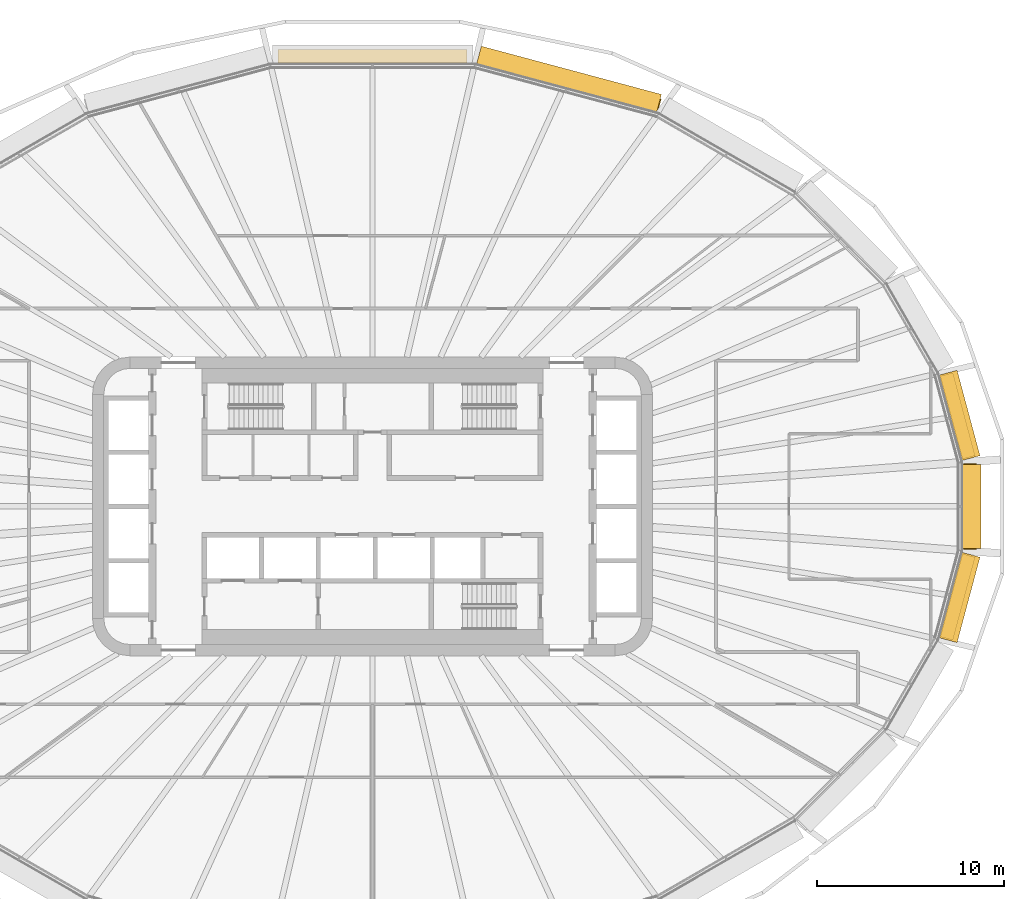
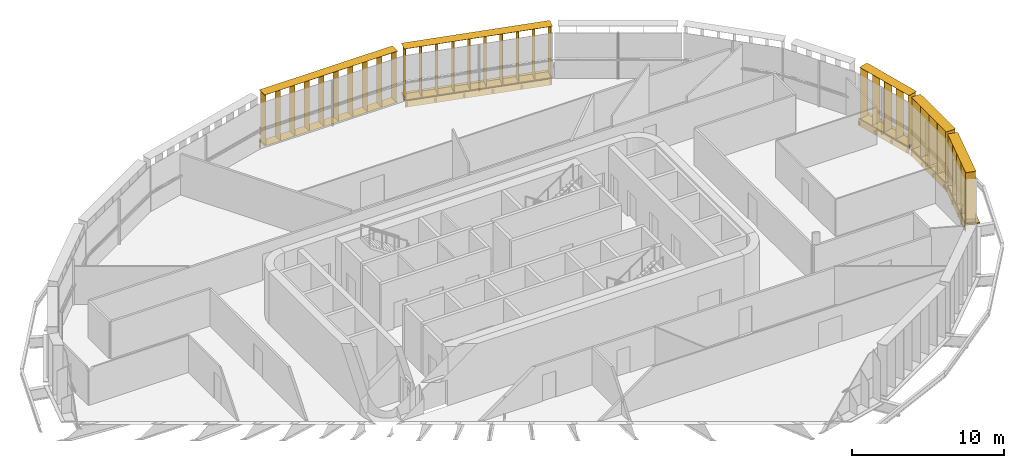
# One storey, part 25 of 25: 9 shading devices.
"""IFC4 building model written with IfcOpenShell, lengths in metres."""

from ifc_helpers import new_model, si_unit, direction, frame, origin, origin_2d, place, context, subcontext, project, spatial, rectangle, extrude, material, type_object, element, save


model = new_model("IFC4")

# Units and contexts
model_context = context("Model", 3, precision=1e-05, world=origin(), true_north=direction((0.0, 1.0)))
body_context = subcontext(model_context, "Body", "Model", "MODEL_VIEW")
ifc_project = project(units=[si_unit("LENGTHUNIT", "METRE"), si_unit("AREAUNIT", "SQUARE_METRE"), si_unit("VOLUMEUNIT", "CUBIC_METRE"), si_unit("PLANEANGLEUNIT", "RADIAN"), si_unit("MASSUNIT", "GRAM", prefix="KILO")], contexts=[model_context])

# Site, building, storey
site_placement = place(None, origin())
site = spatial("IfcSite", under=ifc_project, at=site_placement, CompositionType="ELEMENT")
building_placement = place(site_placement, origin())
building = spatial("IfcBuilding", under=site, at=building_placement, Name="Sahrelin Media Tower", CompositionType="ELEMENT")
storey_placement = place(building_placement, frame((0.0, 0.0, 139.800048828125)))
storey = spatial("IfcBuildingStorey", under=building, at=storey_placement, Name="L28", CompositionType="ELEMENT", Elevation=139.800048828125)

# Shading devices
ifc_material = material(Name="Champagne anodised aluminium 6063-T6", Category="aluminium")
shading_device_type_1 = type_object("IfcShadingDeviceType", Name="Fin cassette", PredefinedType="USERDEFINED", material=ifc_material)
placement_1 = place(storey_placement, frame((31.57861328125, 0.0, 0.0), z_axis=(0.0, 0.0, 1.0), x_axis=(0.0, -1.0, 0.0)))
element("IfcShadingDevice", 1, at=placement_1, inside=storey, type_object=shading_device_type_1, Name="L28:FIN:L28-00", ObjectType="FIN", PredefinedType="USERDEFINED", context=body_context, shape_type="SweptSolid", body=[
    extrude(rectangle(XDim=4.60009765625, YDim=0.699951171875, at=origin_2d()), frame((0.0, 0.419921875, 0.0)), (0.0, 0.0, 1.0), 0.02001953125),
    extrude(rectangle(XDim=4.60009765625, YDim=0.699951171875, at=origin_2d()), frame((0.0, 0.419921875, 4.10009765625)), (0.0, 0.0, 1.0), 0.02001953125),
    extrude(rectangle(XDim=0.02001953125, YDim=0.699951171875, at=origin_2d()), frame((-2.199951171875, 0.419921875, 0.010009765625), z_axis=(0.0, 0.0, 1.0), x_axis=(1.0, 0.0, 0.0)), (0.0, 0.0, 1.0), 4.10009765625),
    extrude(rectangle(XDim=0.02001953125, YDim=0.699951171875, at=origin_2d()), frame((-1.10009765625, 0.419921875, 0.010009765625), z_axis=(0.0, 0.0, 1.0), x_axis=(1.0, 0.0, 0.0)), (0.0, 0.0, 1.0), 4.10009765625),
    extrude(rectangle(XDim=0.02001953125, YDim=0.699951171875, at=origin_2d()), frame((0.0, 0.419921875, 0.010009765625), z_axis=(0.0, 0.0, 1.0), x_axis=(1.0, 0.0, 0.0)), (0.0, 0.0, 1.0), 4.10009765625),
    extrude(rectangle(XDim=0.02001953125, YDim=0.699951171875, at=origin_2d()), frame((1.10009765625, 0.419921875, 0.010009765625), z_axis=(0.0, 0.0, 1.0), x_axis=(1.0, 0.0, 0.0)), (0.0, 0.0, 1.0), 4.10009765625),
    extrude(rectangle(XDim=0.02001953125, YDim=0.699951171875, at=origin_2d()), frame((2.199951171875, 0.419921875, 0.010009765625), z_axis=(0.0, 0.0, 1.0), x_axis=(1.0, 0.0, 0.0)), (0.0, 0.0, 1.0), 4.10009765625),
])
placement_2 = place(storey_placement, frame((30.940185546875, 4.7412109375, 0.0), z_axis=(0.0, 0.0, 1.0), x_axis=(0.258807731996, -0.965928857556, 0.0)))
element("IfcShadingDevice", 2, at=placement_2, inside=storey, type_object=shading_device_type_1, Name="L28:FIN:L28-01", ObjectType="FIN", PredefinedType="USERDEFINED", context=body_context, shape_type="SweptSolid", body=[
    extrude(rectangle(XDim=4.60009765625, YDim=0.699951171875, at=origin_2d()), frame((0.0, 0.419921875, 0.0)), (0.0, 0.0, 1.0), 0.02001953125),
    extrude(rectangle(XDim=4.60009765625, YDim=0.699951171875, at=origin_2d()), frame((0.0, 0.419921875, 4.10009765625)), (0.0, 0.0, 1.0), 0.02001953125),
    extrude(rectangle(XDim=0.02001953125, YDim=0.699951171875, at=origin_2d()), frame((-2.199951171875, 0.419921875, 0.010009765625), z_axis=(0.0, 0.0, 1.0), x_axis=(1.0, 0.0, 0.0)), (0.0, 0.0, 1.0), 4.10009765625),
    extrude(rectangle(XDim=0.02001953125, YDim=0.699951171875, at=origin_2d()), frame((-1.10009765625, 0.419921875, 0.010009765625), z_axis=(0.0, 0.0, 1.0), x_axis=(1.0, 0.0, 0.0)), (0.0, 0.0, 1.0), 4.10009765625),
    extrude(rectangle(XDim=0.02001953125, YDim=0.699951171875, at=origin_2d()), frame((0.0, 0.419921875, 0.010009765625), z_axis=(0.0, 0.0, 1.0), x_axis=(1.0, 0.0, 0.0)), (0.0, 0.0, 1.0), 4.10009765625),
    extrude(rectangle(XDim=0.02001953125, YDim=0.699951171875, at=origin_2d()), frame((1.10009765625, 0.419921875, 0.010009765625), z_axis=(0.0, 0.0, 1.0), x_axis=(1.0, 0.0, 0.0)), (0.0, 0.0, 1.0), 4.10009765625),
    extrude(rectangle(XDim=0.02001953125, YDim=0.699951171875, at=origin_2d()), frame((2.199951171875, 0.419921875, 0.010009765625), z_axis=(0.0, 0.0, 1.0), x_axis=(1.0, 0.0, 0.0)), (0.0, 0.0, 1.0), 4.10009765625),
])
placement_3 = place(storey_placement, frame((10.389404296875, 22.377197265625, 0.0), z_axis=(0.0, 0.0, 1.0), x_axis=(0.965928857556, -0.258807731996, 0.0)))
element("IfcShadingDevice", 3, at=placement_3, inside=storey, type_object=shading_device_type_1, Name="L28:FIN:L28-05", ObjectType="FIN", PredefinedType="USERDEFINED", context=body_context, shape_type="SweptSolid", body=[
    extrude(rectangle(XDim=10.10009765625, YDim=0.699951171875, at=origin_2d()), frame((0.0, 0.419921875, 0.0)), (0.0, 0.0, 1.0), 0.02001953125),
    extrude(rectangle(XDim=10.10009765625, YDim=0.699951171875, at=origin_2d()), frame((0.0, 0.419921875, 4.10009765625)), (0.0, 0.0, 1.0), 0.02001953125),
    extrude(rectangle(XDim=0.02001953125, YDim=0.699951171875, at=origin_2d()), frame((-4.949951171875, 0.419921875, 0.010009765625), z_axis=(0.0, 0.0, 1.0), x_axis=(1.0, 0.0, 0.0)), (0.0, 0.0, 1.0), 4.10009765625),
    extrude(rectangle(XDim=0.02001953125, YDim=0.699951171875, at=origin_2d()), frame((-3.85009765625, 0.419921875, 0.010009765625), z_axis=(0.0, 0.0, 1.0), x_axis=(1.0, 0.0, 0.0)), (0.0, 0.0, 1.0), 4.10009765625),
    extrude(rectangle(XDim=0.02001953125, YDim=0.699951171875, at=origin_2d()), frame((-2.75, 0.419921875, 0.010009765625), z_axis=(0.0, 0.0, 1.0), x_axis=(1.0, 0.0, 0.0)), (0.0, 0.0, 1.0), 4.10009765625),
    extrude(rectangle(XDim=0.02001953125, YDim=0.699951171875, at=origin_2d()), frame((-1.64990234375, 0.419921875, 0.010009765625), z_axis=(0.0, 0.0, 1.0), x_axis=(1.0, 0.0, 0.0)), (0.0, 0.0, 1.0), 4.10009765625),
    extrude(rectangle(XDim=0.02001953125, YDim=0.699951171875, at=origin_2d()), frame((-0.550048828125, 0.419921875, 0.010009765625), z_axis=(0.0, 0.0, 1.0), x_axis=(1.0, 0.0, 0.0)), (0.0, 0.0, 1.0), 4.10009765625),
    extrude(rectangle(XDim=0.02001953125, YDim=0.699951171875, at=origin_2d()), frame((0.550048828125, 0.419921875, 0.010009765625), z_axis=(0.0, 0.0, 1.0), x_axis=(1.0, 0.0, 0.0)), (0.0, 0.0, 1.0), 4.10009765625),
    extrude(rectangle(XDim=0.02001953125, YDim=0.699951171875, at=origin_2d()), frame((1.64990234375, 0.419921875, 0.010009765625), z_axis=(0.0, 0.0, 1.0), x_axis=(1.0, 0.0, 0.0)), (0.0, 0.0, 1.0), 4.10009765625),
    extrude(rectangle(XDim=0.02001953125, YDim=0.699951171875, at=origin_2d()), frame((2.75, 0.419921875, 0.010009765625), z_axis=(0.0, 0.0, 1.0), x_axis=(1.0, 0.0, 0.0)), (0.0, 0.0, 1.0), 4.10009765625),
    extrude(rectangle(XDim=0.02001953125, YDim=0.699951171875, at=origin_2d()), frame((3.85009765625, 0.419921875, 0.010009765625), z_axis=(0.0, 0.0, 1.0), x_axis=(1.0, 0.0, 0.0)), (0.0, 0.0, 1.0), 4.10009765625),
    extrude(rectangle(XDim=0.02001953125, YDim=0.699951171875, at=origin_2d()), frame((4.949951171875, 0.419921875, 0.010009765625), z_axis=(0.0, 0.0, 1.0), x_axis=(1.0, 0.0, 0.0)), (0.0, 0.0, 1.0), 4.10009765625),
])
shading_device_4_placement = place(storey_placement, frame((0.0, 23.69580078125, 0.0), z_axis=(0.0, 0.0, 1.0), x_axis=(1.0, 0.0, 0.0)))
element("IfcShadingDevice", 4, at=shading_device_4_placement, inside=storey, type_object=shading_device_type_1, Name="L28:FIN:L28-06", ObjectType="FIN", PredefinedType="USERDEFINED", context=body_context, shape_type="SweptSolid", body=[
    extrude(rectangle(XDim=10.10009765625, YDim=0.699951171875, at=origin_2d()), frame((0.0, 0.419921875, 0.0)), (0.0, 0.0, 1.0), 0.02001953125),
    extrude(rectangle(XDim=10.10009765625, YDim=0.699951171875, at=origin_2d()), frame((0.0, 0.419921875, 4.10009765625)), (0.0, 0.0, 1.0), 0.02001953125),
    extrude(rectangle(XDim=0.02001953125, YDim=0.699951171875, at=origin_2d()), frame((-4.949951171875, 0.419921875, 0.010009765625), z_axis=(0.0, 0.0, 1.0), x_axis=(1.0, 0.0, 0.0)), (0.0, 0.0, 1.0), 4.10009765625),
    extrude(rectangle(XDim=0.02001953125, YDim=0.699951171875, at=origin_2d()), frame((-3.85009765625, 0.419921875, 0.010009765625), z_axis=(0.0, 0.0, 1.0), x_axis=(1.0, 0.0, 0.0)), (0.0, 0.0, 1.0), 4.10009765625),
    extrude(rectangle(XDim=0.02001953125, YDim=0.699951171875, at=origin_2d()), frame((-2.75, 0.419921875, 0.010009765625), z_axis=(0.0, 0.0, 1.0), x_axis=(1.0, 0.0, 0.0)), (0.0, 0.0, 1.0), 4.10009765625),
    extrude(rectangle(XDim=0.02001953125, YDim=0.699951171875, at=origin_2d()), frame((-1.64990234375, 0.419921875, 0.010009765625), z_axis=(0.0, 0.0, 1.0), x_axis=(1.0, 0.0, 0.0)), (0.0, 0.0, 1.0), 4.10009765625),
    extrude(rectangle(XDim=0.02001953125, YDim=0.699951171875, at=origin_2d()), frame((-0.550048828125, 0.419921875, 0.010009765625), z_axis=(0.0, 0.0, 1.0), x_axis=(1.0, 0.0, 0.0)), (0.0, 0.0, 1.0), 4.10009765625),
    extrude(rectangle(XDim=0.02001953125, YDim=0.699951171875, at=origin_2d()), frame((0.550048828125, 0.419921875, 0.010009765625), z_axis=(0.0, 0.0, 1.0), x_axis=(1.0, 0.0, 0.0)), (0.0, 0.0, 1.0), 4.10009765625),
    extrude(rectangle(XDim=0.02001953125, YDim=0.699951171875, at=origin_2d()), frame((1.64990234375, 0.419921875, 0.010009765625), z_axis=(0.0, 0.0, 1.0), x_axis=(1.0, 0.0, 0.0)), (0.0, 0.0, 1.0), 4.10009765625),
    extrude(rectangle(XDim=0.02001953125, YDim=0.699951171875, at=origin_2d()), frame((2.75, 0.419921875, 0.010009765625), z_axis=(0.0, 0.0, 1.0), x_axis=(1.0, 0.0, 0.0)), (0.0, 0.0, 1.0), 4.10009765625),
    extrude(rectangle(XDim=0.02001953125, YDim=0.699951171875, at=origin_2d()), frame((3.85009765625, 0.419921875, 0.010009765625), z_axis=(0.0, 0.0, 1.0), x_axis=(1.0, 0.0, 0.0)), (0.0, 0.0, 1.0), 4.10009765625),
    extrude(rectangle(XDim=0.02001953125, YDim=0.699951171875, at=origin_2d()), frame((4.949951171875, 0.419921875, 0.010009765625), z_axis=(0.0, 0.0, 1.0), x_axis=(1.0, 0.0, 0.0)), (0.0, 0.0, 1.0), 4.10009765625),
])
placement_4 = place(storey_placement, frame((30.940185546875, -4.7412109375, 0.0), z_axis=(0.0, 0.0, 1.0), x_axis=(-0.258807731996, -0.965928857556, 0.0)))
element("IfcShadingDevice", 5, at=placement_4, inside=storey, type_object=shading_device_type_1, Name="L28:FIN:L28-23", ObjectType="FIN", PredefinedType="USERDEFINED", context=body_context, shape_type="SweptSolid", body=[
    extrude(rectangle(XDim=4.60009765625, YDim=0.699951171875, at=origin_2d()), frame((0.0, 0.419921875, 0.0)), (0.0, 0.0, 1.0), 0.02001953125),
    extrude(rectangle(XDim=4.60009765625, YDim=0.699951171875, at=origin_2d()), frame((0.0, 0.419921875, 4.10009765625)), (0.0, 0.0, 1.0), 0.02001953125),
    extrude(rectangle(XDim=0.02001953125, YDim=0.699951171875, at=origin_2d()), frame((-2.199951171875, 0.419921875, 0.010009765625), z_axis=(0.0, 0.0, 1.0), x_axis=(1.0, 0.0, 0.0)), (0.0, 0.0, 1.0), 4.10009765625),
    extrude(rectangle(XDim=0.02001953125, YDim=0.699951171875, at=origin_2d()), frame((-1.10009765625, 0.419921875, 0.010009765625), z_axis=(0.0, 0.0, 1.0), x_axis=(1.0, 0.0, 0.0)), (0.0, 0.0, 1.0), 4.10009765625),
    extrude(rectangle(XDim=0.02001953125, YDim=0.699951171875, at=origin_2d()), frame((0.0, 0.419921875, 0.010009765625), z_axis=(0.0, 0.0, 1.0), x_axis=(1.0, 0.0, 0.0)), (0.0, 0.0, 1.0), 4.10009765625),
    extrude(rectangle(XDim=0.02001953125, YDim=0.699951171875, at=origin_2d()), frame((1.10009765625, 0.419921875, 0.010009765625), z_axis=(0.0, 0.0, 1.0), x_axis=(1.0, 0.0, 0.0)), (0.0, 0.0, 1.0), 4.10009765625),
    extrude(rectangle(XDim=0.02001953125, YDim=0.699951171875, at=origin_2d()), frame((2.199951171875, 0.419921875, 0.010009765625), z_axis=(0.0, 0.0, 1.0), x_axis=(1.0, 0.0, 0.0)), (0.0, 0.0, 1.0), 4.10009765625),
])
shading_device_type_2 = type_object("IfcShadingDeviceType", Name="Sunshade band", PredefinedType="USERDEFINED", material=ifc_material)
element("IfcShadingDevice", 6, at=placement_1, inside=storey, type_object=shading_device_type_2, Name="L28:SUN:L28-00", ObjectType="SUNSHADE", PredefinedType="USERDEFINED", context=body_context, shape_type="SweptSolid", body=[
    extrude(rectangle(XDim=4.51708984375, YDim=0.050048828125, at=origin_2d()), frame((0.0, 0.044921875, -0.55126953125)), (0.0, 0.0, 1.0), 0.471435546875),
    extrude(rectangle(XDim=4.51708984375, YDim=1.0, at=origin_2d()), frame((0.0, 0.52001953125, -0.080078125)), (0.0, 0.0, 1.0), 0.080078125),
    extrude(rectangle(XDim=0.10009765625, YDim=0.074951171875, at=origin_2d()), frame((-2.158447265625, -0.017578125, -0.47021484375)), (0.0, 0.0, 1.0), 0.300048828125),
    extrude(rectangle(XDim=0.10009765625, YDim=0.074951171875, at=origin_2d()), frame((-0.719482421875, -0.017578125, -0.47021484375)), (0.0, 0.0, 1.0), 0.300048828125),
    extrude(rectangle(XDim=0.10009765625, YDim=0.074951171875, at=origin_2d()), frame((0.719482421875, -0.017578125, -0.47021484375)), (0.0, 0.0, 1.0), 0.300048828125),
    extrude(rectangle(XDim=0.10009765625, YDim=0.074951171875, at=origin_2d()), frame((2.158447265625, -0.017578125, -0.47021484375)), (0.0, 0.0, 1.0), 0.300048828125),
])
element("IfcShadingDevice", 7, at=placement_2, inside=storey, type_object=shading_device_type_2, Name="L28:SUN:L28-01", ObjectType="SUNSHADE", PredefinedType="USERDEFINED", context=body_context, shape_type="SweptSolid", body=[
    extrude(rectangle(XDim=4.7333984375, YDim=0.050048828125, at=origin_2d()), frame((0.0, 0.044921875, -0.55126953125)), (0.0, 0.0, 1.0), 0.471435546875),
    extrude(rectangle(XDim=4.7333984375, YDim=1.0, at=origin_2d()), frame((0.0, 0.52001953125, -0.080078125)), (0.0, 0.0, 1.0), 0.080078125),
    extrude(rectangle(XDim=0.10009765625, YDim=0.074951171875, at=origin_2d()), frame((-2.2666015625, -0.017578125, -0.47021484375)), (0.0, 0.0, 1.0), 0.300048828125),
    extrude(rectangle(XDim=0.10009765625, YDim=0.074951171875, at=origin_2d()), frame((-0.755615234375, -0.017578125, -0.47021484375)), (0.0, 0.0, 1.0), 0.300048828125),
    extrude(rectangle(XDim=0.10009765625, YDim=0.074951171875, at=origin_2d()), frame((0.755615234375, -0.017578125, -0.47021484375)), (0.0, 0.0, 1.0), 0.300048828125),
    extrude(rectangle(XDim=0.10009765625, YDim=0.074951171875, at=origin_2d()), frame((2.2666015625, -0.017578125, -0.47021484375)), (0.0, 0.0, 1.0), 0.300048828125),
])
element("IfcShadingDevice", 8, at=placement_3, inside=storey, type_object=shading_device_type_2, Name="L28:SUN:L28-05", ObjectType="SUNSHADE", PredefinedType="USERDEFINED", context=body_context, shape_type="SweptSolid", body=[
    extrude(rectangle(XDim=9.98779296875, YDim=0.050048828125, at=origin_2d()), frame((0.0, 0.044921875, -0.55126953125)), (0.0, 0.0, 1.0), 0.471435546875),
    extrude(rectangle(XDim=9.98779296875, YDim=1.0, at=origin_2d()), frame((0.0, 0.52001953125, -0.080078125)), (0.0, 0.0, 1.0), 0.080078125),
    extrude(rectangle(XDim=0.10009765625, YDim=0.074951171875, at=origin_2d()), frame((-4.893798828125, -0.017578125, -0.47021484375)), (0.0, 0.0, 1.0), 0.300048828125),
    extrude(rectangle(XDim=0.10009765625, YDim=0.074951171875, at=origin_2d()), frame((-2.936279296875, -0.017578125, -0.47021484375)), (0.0, 0.0, 1.0), 0.300048828125),
    extrude(rectangle(XDim=0.10009765625, YDim=0.074951171875, at=origin_2d()), frame((-0.978759765625, -0.017578125, -0.47021484375)), (0.0, 0.0, 1.0), 0.300048828125),
    extrude(rectangle(XDim=0.10009765625, YDim=0.074951171875, at=origin_2d()), frame((0.978759765625, -0.017578125, -0.47021484375)), (0.0, 0.0, 1.0), 0.300048828125),
    extrude(rectangle(XDim=0.10009765625, YDim=0.074951171875, at=origin_2d()), frame((2.936279296875, -0.017578125, -0.47021484375)), (0.0, 0.0, 1.0), 0.300048828125),
    extrude(rectangle(XDim=0.10009765625, YDim=0.074951171875, at=origin_2d()), frame((4.893798828125, -0.017578125, -0.47021484375)), (0.0, 0.0, 1.0), 0.300048828125),
])
element("IfcShadingDevice", 9, at=placement_4, inside=storey, type_object=shading_device_type_2, Name="L28:SUN:L28-23", ObjectType="SUNSHADE", PredefinedType="USERDEFINED", context=body_context, shape_type="SweptSolid", body=[
    extrude(rectangle(XDim=4.7333984375, YDim=0.050048828125, at=origin_2d()), frame((0.0, 0.044921875, -0.55126953125)), (0.0, 0.0, 1.0), 0.471435546875),
    extrude(rectangle(XDim=4.7333984375, YDim=1.0, at=origin_2d()), frame((0.0, 0.52001953125, -0.080078125)), (0.0, 0.0, 1.0), 0.080078125),
    extrude(rectangle(XDim=0.10009765625, YDim=0.074951171875, at=origin_2d()), frame((-2.2666015625, -0.017578125, -0.47021484375)), (0.0, 0.0, 1.0), 0.300048828125),
    extrude(rectangle(XDim=0.10009765625, YDim=0.074951171875, at=origin_2d()), frame((-0.755615234375, -0.017578125, -0.47021484375)), (0.0, 0.0, 1.0), 0.300048828125),
    extrude(rectangle(XDim=0.10009765625, YDim=0.074951171875, at=origin_2d()), frame((0.755615234375, -0.017578125, -0.47021484375)), (0.0, 0.0, 1.0), 0.300048828125),
    extrude(rectangle(XDim=0.10009765625, YDim=0.074951171875, at=origin_2d()), frame((2.2666015625, -0.017578125, -0.47021484375)), (0.0, 0.0, 1.0), 0.300048828125),
])

save(model, "model.ifc")
